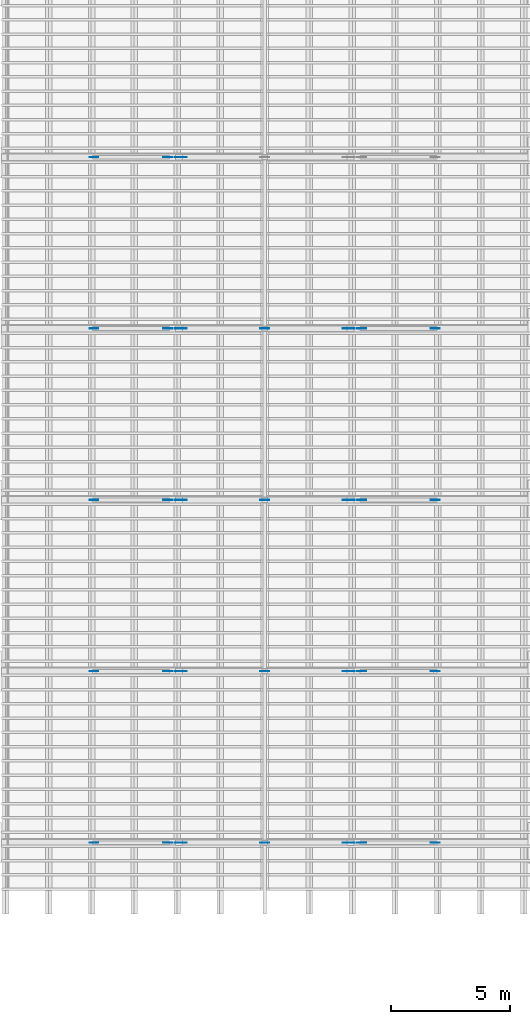
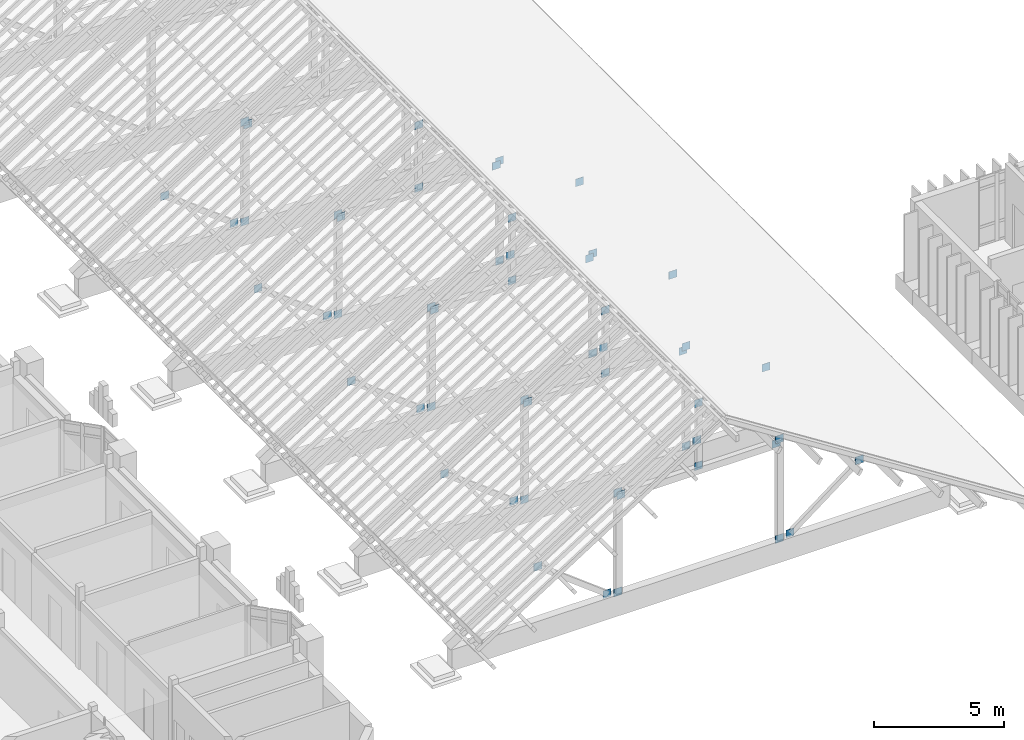
# One storey, part 50 of 71: 53 discrete accessories.
"""IFC4 building model written with IfcOpenShell, lengths in metres."""

from ifc_helpers import new_model, si_unit, direction, frame, origin, origin_2d, place, context, subcontext, project, spatial, rectangle, extrude, material, type_object, element, save


model = new_model("IFC4")

# Units and contexts
model_context = context("Model", 3, precision=1e-05, world=origin(), true_north=direction((0.0, 1.0)))
body_context = subcontext(model_context, "Body", "Model", "MODEL_VIEW")
ifc_project = project(units=[si_unit("LENGTHUNIT", "METRE"), si_unit("AREAUNIT", "SQUARE_METRE"), si_unit("VOLUMEUNIT", "CUBIC_METRE"), si_unit("PLANEANGLEUNIT", "RADIAN"), si_unit("MASSUNIT", "GRAM", prefix="KILO")], contexts=[model_context])

# Site, building, storey
site_placement = place(None, origin())
site = spatial("IfcSite", under=ifc_project, at=site_placement, CompositionType="ELEMENT")
building_placement = place(site_placement, origin())
building = spatial("IfcBuilding", under=site, at=building_placement, Name="Mazhai Court Health Centre", CompositionType="ELEMENT")
storey_placement = place(building_placement, frame((0.0, 0.0, 10.199951171875)))
storey = spatial("IfcBuildingStorey", under=building, at=storey_placement, Name="L02", CompositionType="ELEMENT", Elevation=10.199951171875)

# Discrete accessories
ifc_material = material(Name="Steel IS 2062 E250", Category="steel")
discrete_accessory_type = type_object("IfcDiscreteAccessoryType", Name="TRUSS NODE PLATE 12", PredefinedType="BRACKET", material=ifc_material)
for number, where, z_axis, x_axis, name in (
    (1, (56.60009765625, 13.39990234375, 0.81982421875), (0.0, 0.0, 1.0), (1.0, 0.0, 0.0), "Node plate Post TV1-1-P1 end a"),
    (2, (56.60009765625, 13.39990234375, 5.51318359375), (0.0, 0.0, 1.0), (1.0, 0.0, 0.0), "Node plate Post TV1-1-P1 end b"),
    (3, (49.39990234375, 13.39990234375, 0.81982421875), (0.0, 0.0, 1.0), (1.0, 0.0, 0.0), "Node plate Post TV1-1-P2 end a"),
    (4, (49.39990234375, 13.39990234375, 5.51318359375), (0.0, 0.0, 1.0), (1.0, 0.0, 0.0), "Node plate Post TV1-1-P2 end b"),
    (5, (56.4599609375, 13.39990234375, 5.353515625), (0.0, 0.0, 1.0), (1.0, 0.0, 0.0), "Node plate Collar TV1-1-SB1 end a"),
    (6, (49.5400390625, 13.39990234375, 5.353515625), (0.0, 0.0, 1.0), (1.0, 0.0, 0.0), "Node plate Collar TV1-1-SB1 end b"),
    (7, (53.0, 13.39990234375, 5.51318359375), (0.0, 0.0, 1.0), (1.0, 0.0, 0.0), "Node plate Post TV1-1-P3 end a"),
    (8, (53.0, 13.39990234375, 8.47216796875), (0.0, 0.0, 1.0), (1.0, 0.0, 0.0), "Node plate Post TV1-1-P3 end b"),
    (9, (57.07568359375, 13.39990234375, 0.91552734375), (0.0, 0.0, 1.0), (1.0, 0.0, 0.0), "Node plate Strut TV1-1-S1 end a"),
    (10, (60.165283203125, 13.39990234375, 3.2802734375), (0.0, 0.0, 1.0), (1.0, 0.0, 0.0), "Node plate Strut TV1-1-S1 end b"),
    (11, (48.92431640625, 13.39990234375, 0.91552734375), (0.0, 0.0, 1.0), (1.0, 0.0, 0.0), "Node plate Strut TV1-1-S2 end a"),
    (12, (45.834716796875, 13.39990234375, 3.2802734375), (0.0, 0.0, 1.0), (1.0, 0.0, 0.0), "Node plate Strut TV1-1-S2 end b"),
    (13, (56.60009765625, 20.60009765625, 0.81982421875), (0.0, 0.0, 1.0), (1.0, 0.0, 0.0), "Node plate Post TV1-2-P1 end a"),
    (14, (56.60009765625, 20.60009765625, 5.51318359375), (0.0, 0.0, 1.0), (1.0, 0.0, 0.0), "Node plate Post TV1-2-P1 end b"),
    (15, (49.39990234375, 20.60009765625, 0.81982421875), (0.0, 0.0, 1.0), (1.0, 0.0, 0.0), "Node plate Post TV1-2-P2 end a"),
    (16, (49.39990234375, 20.60009765625, 5.51318359375), (0.0, 0.0, 1.0), (1.0, 0.0, 0.0), "Node plate Post TV1-2-P2 end b"),
    (17, (56.4599609375, 20.60009765625, 5.353515625), (0.0, 0.0, 1.0), (1.0, 0.0, 0.0), "Node plate Collar TV1-2-SB1 end a"),
    (18, (49.5400390625, 20.60009765625, 5.353515625), (0.0, 0.0, 1.0), (1.0, 0.0, 0.0), "Node plate Collar TV1-2-SB1 end b"),
    (19, (53.0, 20.60009765625, 5.51318359375), (0.0, 0.0, 1.0), (1.0, 0.0, 0.0), "Node plate Post TV1-2-P3 end a"),
    (20, (53.0, 20.60009765625, 8.47216796875), (0.0, 0.0, 1.0), (1.0, 0.0, 0.0), "Node plate Post TV1-2-P3 end b"),
    (21, (57.07568359375, 20.60009765625, 0.91552734375), (0.0, 0.0, 1.0), (1.0, 0.0, 0.0), "Node plate Strut TV1-2-S1 end a"),
    (22, (60.165283203125, 20.60009765625, 3.2802734375), (0.0, 0.0, 1.0), (1.0, 0.0, 0.0), "Node plate Strut TV1-2-S1 end b"),
    (23, (48.92431640625, 20.60009765625, 0.91552734375), (0.0, 0.0, 1.0), (1.0, 0.0, 0.0), "Node plate Strut TV1-2-S2 end a"),
    (24, (45.834716796875, 20.60009765625, 3.2802734375), (0.0, 0.0, 1.0), (1.0, 0.0, 0.0), "Node plate Strut TV1-2-S2 end b"),
    (25, (56.60009765625, 27.800048828125, 0.81982421875), (0.0, 0.0, 1.0), (1.0, 0.0, 0.0), "Node plate Post TV1-3-P1 end a"),
    (26, (56.60009765625, 27.800048828125, 5.51318359375), (0.0, 0.0, 1.0), (1.0, 0.0, 0.0), "Node plate Post TV1-3-P1 end b"),
    (27, (49.39990234375, 27.800048828125, 0.81982421875), (0.0, 0.0, 1.0), (1.0, 0.0, 0.0), "Node plate Post TV1-3-P2 end a"),
    (28, (49.39990234375, 27.800048828125, 5.51318359375), (0.0, 0.0, 1.0), (1.0, 0.0, 0.0), "Node plate Post TV1-3-P2 end b"),
    (29, (56.4599609375, 27.800048828125, 5.353515625), (0.0, 0.0, 1.0), (1.0, 0.0, 0.0), "Node plate Collar TV1-3-SB1 end a"),
    (30, (49.5400390625, 27.800048828125, 5.353515625), (0.0, 0.0, 1.0), (1.0, 0.0, 0.0), "Node plate Collar TV1-3-SB1 end b"),
    (31, (53.0, 27.800048828125, 5.51318359375), (0.0, 0.0, 1.0), (1.0, 0.0, 0.0), "Node plate Post TV1-3-P3 end a"),
    (32, (53.0, 27.800048828125, 8.47216796875), (0.0, 0.0, 1.0), (1.0, 0.0, 0.0), "Node plate Post TV1-3-P3 end b"),
    (33, (57.07568359375, 27.800048828125, 0.91552734375), (0.0, 0.0, 1.0), (1.0, 0.0, 0.0), "Node plate Strut TV1-3-S1 end a"),
    (34, (60.165283203125, 27.800048828125, 3.2802734375), (0.0, 0.0, 1.0), (1.0, 0.0, 0.0), "Node plate Strut TV1-3-S1 end b"),
    (35, (48.92431640625, 27.800048828125, 0.91552734375), (0.0, 0.0, 1.0), (1.0, 0.0, 0.0), "Node plate Strut TV1-3-S2 end a"),
    (36, (45.834716796875, 27.800048828125, 3.2802734375), (0.0, 0.0, 1.0), (1.0, 0.0, 0.0), "Node plate Strut TV1-3-S2 end b"),
    (37, (56.60009765625, 35.0, 0.81982421875), (0.0, 0.0, 1.0), (1.0, 0.0, 0.0), "Node plate Post TV1-4-P1 end a"),
    (38, (56.60009765625, 35.0, 5.51318359375), (0.0, 0.0, 1.0), (1.0, 0.0, 0.0), "Node plate Post TV1-4-P1 end b"),
    (39, (49.39990234375, 35.0, 0.81982421875), (0.0, 0.0, 1.0), (1.0, 0.0, 0.0), "Node plate Post TV1-4-P2 end a"),
    (40, (49.39990234375, 35.0, 5.51318359375), (0.0, 0.0, 1.0), (1.0, 0.0, 0.0), "Node plate Post TV1-4-P2 end b"),
    (41, (56.4599609375, 35.0, 5.353515625), (0.0, 0.0, 1.0), (1.0, 0.0, 0.0), "Node plate Collar TV1-4-SB1 end a"),
    (42, (49.5400390625, 35.0, 5.353515625), (0.0, 0.0, 1.0), (1.0, 0.0, 0.0), "Node plate Collar TV1-4-SB1 end b"),
    (43, (53.0, 35.0, 5.51318359375), (0.0, 0.0, 1.0), (1.0, 0.0, 0.0), "Node plate Post TV1-4-P3 end a"),
    (44, (53.0, 35.0, 8.47216796875), (0.0, 0.0, 1.0), (1.0, 0.0, 0.0), "Node plate Post TV1-4-P3 end b"),
    (45, (57.07568359375, 35.0, 0.91552734375), (0.0, 0.0, 1.0), (1.0, 0.0, 0.0), "Node plate Strut TV1-4-S1 end a"),
    (46, (60.165283203125, 35.0, 3.2802734375), (0.0, 0.0, 1.0), (1.0, 0.0, 0.0), "Node plate Strut TV1-4-S1 end b"),
    (47, (48.92431640625, 35.0, 0.91552734375), (0.0, 0.0, 1.0), (1.0, 0.0, 0.0), "Node plate Strut TV1-4-S2 end a"),
    (48, (45.834716796875, 35.0, 3.2802734375), (0.0, 0.0, 1.0), (1.0, 0.0, 0.0), "Node plate Strut TV1-4-S2 end b"),
    (49, (49.39990234375, 42.199951171875, 0.81982421875), (0.0, 0.0, 1.0), (1.0, 0.0, 0.0), "Node plate Post TV1-5-P2 end a"),
    (50, (49.39990234375, 42.199951171875, 5.51318359375), (0.0, 0.0, 1.0), (1.0, 0.0, 0.0), "Node plate Post TV1-5-P2 end b"),
    (51, (49.5400390625, 42.199951171875, 5.353515625), (0.0, 0.0, 1.0), (1.0, 0.0, 0.0), "Node plate Collar TV1-5-SB1 end b"),
    (52, (48.92431640625, 42.199951171875, 0.91552734375), (0.0, 0.0, 1.0), (1.0, 0.0, 0.0), "Node plate Strut TV1-5-S2 end a"),
    (53, (45.834716796875, 42.199951171875, 3.2802734375), (0.0, 0.0, 1.0), (1.0, 0.0, 0.0), "Node plate Strut TV1-5-S2 end b"),
):
    element("IfcDiscreteAccessory", number, at=place(storey_placement, frame(where, z_axis=z_axis, x_axis=x_axis)), inside=storey, type_object=discrete_accessory_type, Name=name, PredefinedType="BRACKET", context=body_context, shape_type="SweptSolid", body=[
        extrude(rectangle(XDim=0.360107421875, YDim=0.011962890625, at=origin_2d()), origin(), (0.0, 0.0, 1.0), 0.360107421875),
    ])

save(model, "model.ifc")
